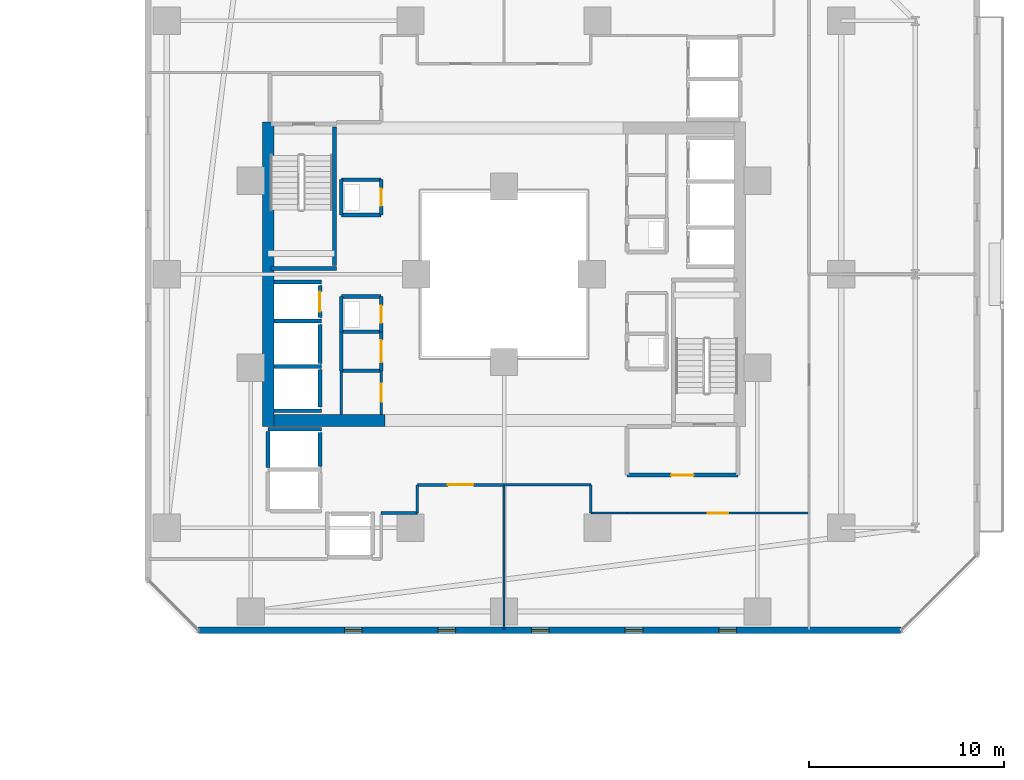
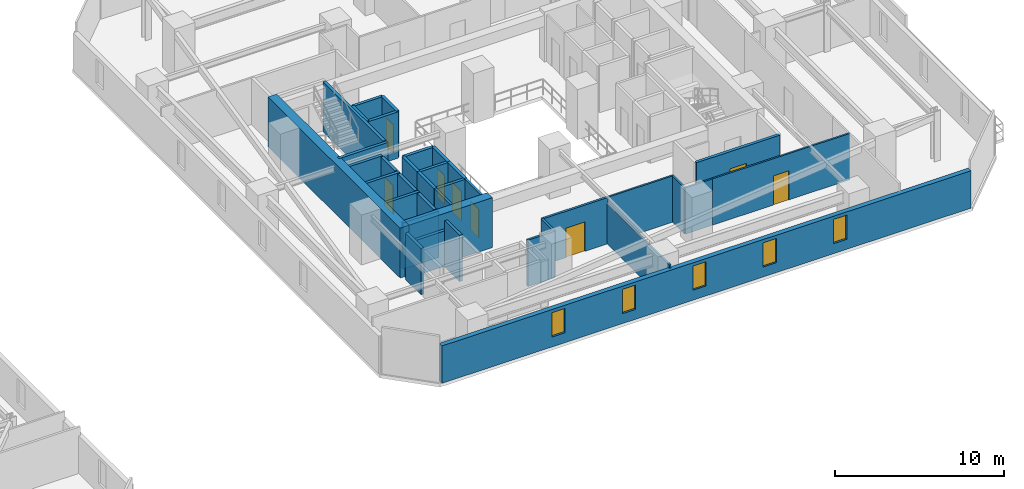
# One storey, part 24 of 34: 37 walls, 8 doors, 5 windows, 13 openings.
"""IFC4 building model written with IfcOpenShell, lengths in metres."""

from ifc_helpers import new_model, si_unit, direction, frame, frame_2d, origin, place, context, subcontext, project, spatial, rectangle, extrude, material, layer, layer_set, type_object, element, fill, save


model = new_model("IFC4")

# Units and contexts
model_context = context("Model", 3, precision=1e-05, world=origin(), true_north=direction((0.0, 1.0)))
body_context = subcontext(model_context, "Body", "Model", "MODEL_VIEW")
ifc_project = project(units=[si_unit("LENGTHUNIT", "METRE"), si_unit("AREAUNIT", "SQUARE_METRE"), si_unit("VOLUMEUNIT", "CUBIC_METRE"), si_unit("PLANEANGLEUNIT", "RADIAN"), si_unit("MASSUNIT", "GRAM", prefix="KILO")], contexts=[model_context])

# Site, building, storey
site_placement = place(None, origin())
site = spatial("IfcSite", under=ifc_project, at=site_placement, CompositionType="ELEMENT")
building_placement = place(site_placement, origin())
building = spatial("IfcBuilding", under=site, at=building_placement, Name="Thornwick Lancets Civic Towers", CompositionType="ELEMENT")
storey_placement = place(building_placement, frame((0.0, 0.0, 53.699951171875)))
storey = spatial("IfcBuildingStorey", under=building, at=storey_placement, Name="L13", CompositionType="ELEMENT", Elevation=53.699951171875)

# Wall, opening, door
ifc_material_1 = material(Name="Concrete blockwork C40/50", Category="masonry")
ifc_layer_1 = layer(ifc_material_1, 0.199951171875, Name="Concrete blockwork C40/50")
ifc_layer_set_1 = layer_set([ifc_layer_1], Name="Concrete blockwork C40/50")
wall_type_1 = type_object("IfcWallType", Name="WALL_COMP_200", PredefinedType="STANDARD", material=ifc_layer_set_1)
wall_1_placement = place(storey_placement, frame((79.050048828125, 24.780029296875, 0.0), z_axis=(0.0, 0.0, 1.0), x_axis=(0.0, 1.0, 0.0)))
wall_1 = element("IfcWall", 1, at=wall_1_placement, inside=storey, type_object=wall_type_1, Name="L13 Hoistway Front Wall FL-B2", PredefinedType="STANDARD", context=body_context, shape_type="SweptSolid", body=[
    extrude(rectangle(XDim=1.639892578125, YDim=0.199951171875, at=frame_2d((0.81982421875, 0.0))), origin(), (0.0, 0.0, 1.0), 3.340087890625),
])
opening_1_placement = place(wall_1_placement, frame((0.31005859375, 0.0, 0.0)))
opening_1 = element("IfcOpeningElement", 2, at=opening_1_placement, cuts=wall_1, Name="Opening LD-FL-B2", PredefinedType="OPENING", context=body_context, shape_type="SweptSolid", body=[
    extrude(rectangle(XDim=1.02001953125, YDim=2.06005859375, at=frame_2d((0.510009765625, 1.030029296875))), frame((0.0, 0.10986328125, 0.0), z_axis=(0.0, -1.0, 0.0), x_axis=(1.0, 0.0, 0.0)), (0.0, 0.0, 1.0), 0.219970703125),
])
ifc_material_2 = material(Name="Brushed bronze stainless steel", Category="steel")
door_type_1 = type_object("IfcDoorType", Name="DOOR_LIFT_SLIDE", OperationType="SLIDING_TO_LEFT", PredefinedType="DOOR", material=ifc_material_2)
door_1_placement = place(opening_1_placement, origin())
door_1 = element("IfcDoor", 3, at=door_1_placement, inside=storey, type_object=door_type_1, Name="L13 Sliding Lift Landing Door LD-FL-B2", OperationType="SLIDING_TO_LEFT", OverallHeight=2.06005859375, OverallWidth=1.02001953125, PredefinedType="DOOR", context=body_context, shape_type="SweptSolid", body=[
    extrude(rectangle(XDim=1.02001953125, YDim=2.06005859375, at=frame_2d((0.510009765625, 1.030029296875))), frame((0.0, 0.02490234375, 0.0), z_axis=(0.0, -1.0, 0.0), x_axis=(1.0, 0.0, 0.0)), (0.0, 0.0, 1.0), 0.050048828125),
])
fill(opening_1, door_1)

# Walls
wall_2_placement = place(storey_placement, frame((79.050048828125, 22.429931640625, 0.0), z_axis=(0.0, 0.0, 1.0), x_axis=(0.0, 1.0, 0.0)))
element("IfcWall", 4, at=wall_2_placement, inside=storey, type_object=wall_type_1, Name="L13 Hoistway Front Wall PL-BH2", PredefinedType="STANDARD", context=body_context, shape_type="SweptSolid", body=[
    extrude(rectangle(XDim=1.989990234375, YDim=0.199951171875, at=frame_2d((0.9951171875, 0.0))), origin(), (0.0, 0.0, 1.0), 3.340087890625),
])
wall_3_placement = place(storey_placement, frame((79.050048828125, 20.179931640625, 0.0), z_axis=(0.0, 0.0, 1.0), x_axis=(0.0, 1.0, 0.0)))
element("IfcWall", 5, at=wall_3_placement, inside=storey, type_object=wall_type_1, Name="L13 Hoistway Front Wall PL-BH3", PredefinedType="STANDARD", context=body_context, shape_type="SweptSolid", body=[
    extrude(rectangle(XDim=1.940185546875, YDim=0.199951171875, at=frame_2d((0.97021484375, 0.0))), origin(), (0.0, 0.0, 1.0), 3.340087890625),
])
wall_4_placement = place(storey_placement, frame((79.050048828125, 17.1298828125, 0.0), z_axis=(0.0, 0.0, 1.0), x_axis=(0.0, 1.0, 0.0)))
element("IfcWall", 6, at=wall_4_placement, inside=storey, type_object=wall_type_1, Name="L13 Hoistway Front Wall PL-BM1", PredefinedType="STANDARD", context=body_context, shape_type="SweptSolid", body=[
    extrude(rectangle(XDim=1.740234375, YDim=0.199951171875, at=frame_2d((0.8701171875, 0.0))), origin(), (0.0, 0.0, 1.0), 3.340087890625),
])
for number, where, z_axis, x_axis, name in (
    (7, (76.7119140625, 26.60009765625, 0.0), (0.0, 0.0, 1.0), (1.0, 0.0, 0.0), "L13 Hoistway Shaft Wall FL-B2 N"),
    (8, (76.7119140625, 24.60009765625, 0.0), (0.0, 0.0, 1.0), (1.0, 0.0, 0.0), "L13 Hoistway Shaft Wall FL-B2 S"),
    (9, (76.7119140625, 22.27490234375, 0.0), (0.0, 0.0, 1.0), (1.0, 0.0, 0.0), "L13 Hoistway Shaft Wall PL-BH2 S"),
    (10, (76.7119140625, 20.0, 0.0), (0.0, 0.0, 1.0), (1.0, 0.0, 0.0), "L13 Hoistway Shaft Wall PL-BH3 S"),
):
    element("IfcWall", number, at=place(storey_placement, frame(where, z_axis=z_axis, x_axis=x_axis)), inside=storey, type_object=wall_type_1, Name=name, PredefinedType="STANDARD", context=body_context, shape_type="SweptSolid", body=[
        extrude(rectangle(XDim=2.43603515625, YDim=0.199951171875, at=frame_2d((1.218017578125, 0.0))), origin(), (0.0, 0.0, 1.0), 3.340087890625),
    ])
wall_5_placement = place(storey_placement, frame((76.402099609375, 19.050048828125, 0.0), z_axis=(0.0, 0.0, 1.0), x_axis=(1.0, 0.0, 0.0)))
element("IfcWall", 11, at=wall_5_placement, inside=storey, type_object=wall_type_1, Name="L13 Hoistway Shaft Wall PL-BM1 N", PredefinedType="STANDARD", context=body_context, shape_type="SweptSolid", body=[
    extrude(rectangle(XDim=2.745849609375, YDim=0.199951171875, at=frame_2d((1.373046875, 0.0))), origin(), (0.0, 0.0, 1.0), 2.545166015625),
])
wall_6_placement = place(storey_placement, frame((76.39990234375, 17.08203125, 0.0), z_axis=(0.0, 0.0, 1.0), x_axis=(0.0, 1.0, 0.0)))
element("IfcWall", 12, at=wall_6_placement, inside=storey, type_object=wall_type_1, Name="L13 Hoistway Shaft Wall PL-BM1 W", PredefinedType="STANDARD", context=body_context, shape_type="SweptSolid", body=[
    extrude(rectangle(XDim=1.85595703125, YDim=0.199951171875, at=frame_2d((0.927978515625, 0.0))), origin(), (0.0, 0.0, 1.0), 3.340087890625),
])

# Wall, opening, door
wall_7_placement = place(storey_placement, frame((94.800048828125, 16.699951171875, 0.0), z_axis=(0.0, 0.0, 1.0), x_axis=(1.0, 0.0, 0.0)))
wall_7 = element("IfcWall", 13, at=wall_7_placement, inside=storey, type_object=wall_type_1, Name="L13 Partition L13-B-FFLOB1 E1", PredefinedType="STANDARD", context=body_context, shape_type="SweptSolid", body=[
    extrude(rectangle(XDim=5.699951171875, YDim=0.199951171875, at=frame_2d((2.85009765625, 0.0))), origin(), (0.0, 0.0, 1.0), 3.340087890625),
])
opening_2_placement = place(wall_7_placement, frame((2.27490234375, 0.0, 0.0)))
opening_2 = element("IfcOpeningElement", 14, at=opening_2_placement, cuts=wall_7, Name="Opening D-L13-0636", PredefinedType="OPENING", context=body_context, shape_type="SweptSolid", body=[
    extrude(rectangle(XDim=1.14990234375, YDim=2.10009765625, at=frame_2d((0.574951171875, 1.050048828125))), frame((0.0, 0.10986328125, 0.0), z_axis=(0.0, -1.0, 0.0), x_axis=(1.0, 0.0, 0.0)), (0.0, 0.0, 1.0), 0.219970703125),
])
ifc_material_3 = material(Name="Glazed fire-resisting steel", Category="steel")
door_type_2 = type_object("IfcDoorType", Name="DOOR_LOBBY_FD60", OperationType="NOTDEFINED", PredefinedType="DOOR", material=ifc_material_3)
door_2_placement = place(opening_2_placement, origin())
door_2 = element("IfcDoor", 15, at=door_2_placement, inside=storey, type_object=door_type_2, Name="L13 East Firefighting Lobby 1 Door", OperationType="SINGLE_SWING_LEFT", OverallHeight=2.10009765625, OverallWidth=1.14990234375, PredefinedType="DOOR", context=body_context, shape_type="SweptSolid", body=[
    extrude(rectangle(XDim=1.14990234375, YDim=2.10009765625, at=frame_2d((0.574951171875, 1.050048828125))), frame((0.0, 0.02490234375, 0.0), z_axis=(0.0, -1.0, 0.0), x_axis=(1.0, 0.0, 0.0)), (0.0, 0.0, 1.0), 0.050048828125),
])
fill(opening_2, door_2)

# Wall
wall_8_placement = place(storey_placement, frame((80.14990234375, 24.050048828125, 0.0), z_axis=(0.0, 0.0, 1.0), x_axis=(1.0, 0.0, 0.0)))
element("IfcWall", 16, at=wall_8_placement, inside=storey, type_object=wall_type_1, Name="L13 Partition L13-B-DUCT2 E1", PredefinedType="STANDARD", context=body_context, shape_type="SweptSolid", body=[
    extrude(rectangle(XDim=2.050048828125, YDim=0.199951171875, at=frame_2d((1.02490234375, 0.0))), origin(), (0.0, 0.0, 1.0), 3.340087890625),
])

# Wall, opening, door
wall_9_placement = place(storey_placement, frame((82.199951171875, 24.050048828125, 0.0), z_axis=(0.0, 0.0, 1.0), x_axis=(0.0, 1.0, 0.0)))
wall_9 = element("IfcWall", 17, at=wall_9_placement, inside=storey, type_object=wall_type_1, Name="L13 Partition L13-B-DUCT2 E2", PredefinedType="STANDARD", context=body_context, shape_type="SweptSolid", body=[
    extrude(rectangle(XDim=1.800048828125, YDim=0.199951171875, at=frame_2d((0.89990234375, 0.0))), origin(), (0.0, 0.0, 1.0), 3.340087890625),
])
opening_3_placement = place(wall_9_placement, frame((0.4599609375, 0.0, 0.0)))
opening_3 = element("IfcOpeningElement", 18, at=opening_3_placement, cuts=wall_9, Name="Opening D-L13-0640", PredefinedType="OPENING", context=body_context, shape_type="SweptSolid", body=[
    extrude(rectangle(XDim=0.8798828125, YDim=2.0400390625, at=frame_2d((0.43994140625, 1.02001953125))), frame((0.0, 0.10986328125, 0.0), z_axis=(0.0, -1.0, 0.0), x_axis=(1.0, 0.0, 0.0)), (0.0, 0.0, 1.0), 0.219970703125),
])
ifc_material_4 = material(Name="Steel riser access doorset", Category="steel")
door_type_3 = type_object("IfcDoorType", Name="DOOR_RISER_850", OperationType="NOTDEFINED", PredefinedType="DOOR", material=ifc_material_4)
door_3_placement = place(opening_3_placement, origin())
door_3 = element("IfcDoor", 19, at=door_3_placement, inside=storey, type_object=door_type_3, Name="L13 West Service Duct 2 Door", OperationType="SINGLE_SWING_LEFT", OverallHeight=2.0400390625, OverallWidth=0.8798828125, PredefinedType="DOOR", context=body_context, shape_type="SweptSolid", body=[
    extrude(rectangle(XDim=0.8798828125, YDim=2.0400390625, at=frame_2d((0.43994140625, 1.02001953125))), frame((0.0, 0.02490234375, 0.0), z_axis=(0.0, -1.0, 0.0), x_axis=(1.0, 0.0, 0.0)), (0.0, 0.0, 1.0), 0.050048828125),
])
fill(opening_3, door_3)

# Walls
wall_10_placement = place(storey_placement, frame((82.199951171875, 25.85009765625, 0.0), z_axis=(0.0, 0.0, 1.0), x_axis=(-1.0, 0.0, 0.0)))
element("IfcWall", 20, at=wall_10_placement, inside=storey, type_object=wall_type_1, Name="L13 Partition L13-B-DUCT2 E3", PredefinedType="STANDARD", context=body_context, shape_type="SweptSolid", body=[
    extrude(rectangle(XDim=2.050048828125, YDim=0.199951171875, at=frame_2d((1.02490234375, 0.0))), origin(), (0.0, 0.0, 1.0), 3.340087890625),
])
wall_11_placement = place(storey_placement, frame((80.14990234375, 25.85009765625, 0.0), z_axis=(0.0, 0.0, 1.0), x_axis=(0.0, -1.0, 0.0)))
element("IfcWall", 21, at=wall_11_placement, inside=storey, type_object=wall_type_1, Name="L13 Partition L13-B-DUCT2 E4", PredefinedType="STANDARD", context=body_context, shape_type="SweptSolid", body=[
    extrude(rectangle(XDim=1.800048828125, YDim=0.199951171875, at=frame_2d((0.89990234375, 0.0))), origin(), (0.0, 0.0, 1.0), 3.340087890625),
])
wall_12_placement = place(storey_placement, frame((80.14990234375, 30.050048828125, 0.0), z_axis=(0.0, 0.0, 1.0), x_axis=(1.0, 0.0, 0.0)))
element("IfcWall", 22, at=wall_12_placement, inside=storey, type_object=wall_type_1, Name="L13 Partition L13-B-RISER2 E1", PredefinedType="STANDARD", context=body_context, shape_type="SweptSolid", body=[
    extrude(rectangle(XDim=2.050048828125, YDim=0.199951171875, at=frame_2d((1.02490234375, 0.0))), origin(), (0.0, 0.0, 1.0), 3.340087890625),
])

# Wall, opening, door
wall_13_placement = place(storey_placement, frame((82.199951171875, 30.050048828125, 0.0), z_axis=(0.0, 0.0, 1.0), x_axis=(0.0, 1.0, 0.0)))
wall_13 = element("IfcWall", 23, at=wall_13_placement, inside=storey, type_object=wall_type_1, Name="L13 Partition L13-B-RISER2 E2", PredefinedType="STANDARD", context=body_context, shape_type="SweptSolid", body=[
    extrude(rectangle(XDim=1.800048828125, YDim=0.199951171875, at=frame_2d((0.89990234375, 0.0))), origin(), (0.0, 0.0, 1.0), 3.340087890625),
])
opening_4_placement = place(wall_13_placement, frame((0.4599609375, 0.0, 0.0)))
opening_4 = element("IfcOpeningElement", 24, at=opening_4_placement, cuts=wall_13, Name="Opening D-L13-0641", PredefinedType="OPENING", context=body_context, shape_type="SweptSolid", body=[
    extrude(rectangle(XDim=0.8798828125, YDim=2.0400390625, at=frame_2d((0.43994140625, 1.02001953125))), frame((0.0, 0.10986328125, 0.0), z_axis=(0.0, -1.0, 0.0), x_axis=(1.0, 0.0, 0.0)), (0.0, 0.0, 1.0), 0.219970703125),
])
door_4_placement = place(opening_4_placement, origin())
door_4 = element("IfcDoor", 25, at=door_4_placement, inside=storey, type_object=door_type_3, Name="L13 West Service Riser 2 Door", OperationType="SINGLE_SWING_RIGHT", OverallHeight=2.0400390625, OverallWidth=0.8798828125, PredefinedType="DOOR", context=body_context, shape_type="SweptSolid", body=[
    extrude(rectangle(XDim=0.8798828125, YDim=2.0400390625, at=frame_2d((0.43994140625, 1.02001953125))), frame((0.0, 0.02490234375, 0.0), z_axis=(0.0, -1.0, 0.0), x_axis=(1.0, 0.0, 0.0)), (0.0, 0.0, 1.0), 0.050048828125),
])
fill(opening_4, door_4)

# Walls
wall_14_placement = place(storey_placement, frame((82.199951171875, 31.85009765625, 0.0), z_axis=(0.0, 0.0, 1.0), x_axis=(-1.0, 0.0, 0.0)))
element("IfcWall", 26, at=wall_14_placement, inside=storey, type_object=wall_type_1, Name="L13 Partition L13-B-RISER2 E3", PredefinedType="STANDARD", context=body_context, shape_type="SweptSolid", body=[
    extrude(rectangle(XDim=2.050048828125, YDim=0.199951171875, at=frame_2d((1.02490234375, 0.0))), origin(), (0.0, 0.0, 1.0), 3.340087890625),
])
wall_15_placement = place(storey_placement, frame((80.14990234375, 31.85009765625, 0.0), z_axis=(0.0, 0.0, 1.0), x_axis=(0.0, -1.0, 0.0)))
element("IfcWall", 27, at=wall_15_placement, inside=storey, type_object=wall_type_1, Name="L13 Partition L13-B-RISER2 E4", PredefinedType="STANDARD", context=body_context, shape_type="SweptSolid", body=[
    extrude(rectangle(XDim=1.800048828125, YDim=0.199951171875, at=frame_2d((0.89990234375, 0.0))), origin(), (0.0, 0.0, 1.0), 3.340087890625),
])
wall_16_placement = place(storey_placement, frame((80.14990234375, 22.050048828125, 0.0), z_axis=(0.0, 0.0, 1.0), x_axis=(0.0, 1.0, 0.0)))
element("IfcWall", 28, at=wall_16_placement, inside=storey, type_object=wall_type_1, Name="L13 Partition L13-B-STR E1", PredefinedType="STANDARD", context=body_context, shape_type="SweptSolid", body=[
    extrude(rectangle(XDim=2.0, YDim=0.199951171875, at=frame_2d((1.0, 0.0))), origin(), (0.0, 0.0, 1.0), 3.340087890625),
])

# Wall, opening, door
wall_17_placement = place(storey_placement, frame((82.199951171875, 24.050048828125, 0.0), z_axis=(0.0, 0.0, 1.0), x_axis=(0.0, -1.0, 0.0)))
wall_17 = element("IfcWall", 29, at=wall_17_placement, inside=storey, type_object=wall_type_1, Name="L13 Partition L13-B-STR E3", PredefinedType="STANDARD", context=body_context, shape_type="SweptSolid", body=[
    extrude(rectangle(XDim=2.0, YDim=0.199951171875, at=frame_2d((1.0, 0.0))), origin(), (0.0, 0.0, 1.0), 3.340087890625),
])
opening_5_placement = place(wall_17_placement, frame((0.425048828125, 0.0, 0.0)))
opening_5 = element("IfcOpeningElement", 30, at=opening_5_placement, cuts=wall_17, Name="Opening D-L13-0646", PredefinedType="OPENING", context=body_context, shape_type="SweptSolid", body=[
    extrude(rectangle(XDim=1.14990234375, YDim=2.10009765625, at=frame_2d((0.574951171875, 1.050048828125))), frame((0.0, 0.10986328125, 0.0), z_axis=(0.0, -1.0, 0.0), x_axis=(1.0, 0.0, 0.0)), (0.0, 0.0, 1.0), 0.219970703125),
])
door_5_placement = place(opening_5_placement, origin())
door_5 = element("IfcDoor", 31, at=door_5_placement, inside=storey, type_object=door_type_2, Name="L13 Tower B Core Records Store Door", OperationType="SINGLE_SWING_LEFT", OverallHeight=2.10009765625, OverallWidth=1.14990234375, PredefinedType="DOOR", context=body_context, shape_type="SweptSolid", body=[
    extrude(rectangle(XDim=1.14990234375, YDim=2.10009765625, at=frame_2d((0.574951171875, 1.050048828125))), frame((0.0, 0.02490234375, 0.0), z_axis=(0.0, -1.0, 0.0), x_axis=(1.0, 0.0, 0.0)), (0.0, 0.0, 1.0), 0.050048828125),
])
fill(opening_5, door_5)

# Walls
wall_18_placement = place(storey_placement, frame((82.199951171875, 22.050048828125, 0.0), z_axis=(0.0, 0.0, 1.0), x_axis=(-1.0, 0.0, 0.0)))
element("IfcWall", 32, at=wall_18_placement, inside=storey, type_object=wall_type_1, Name="L13 Partition L13-B-STR E4", PredefinedType="STANDARD", context=body_context, shape_type="SweptSolid", body=[
    extrude(rectangle(XDim=2.050048828125, YDim=0.199951171875, at=frame_2d((1.02490234375, 0.0))), origin(), (0.0, 0.0, 1.0), 3.340087890625),
])
ifc_material_5 = material(Name="Concrete C60/75", Category="concrete")
ifc_layer_2 = layer(ifc_material_5, 0.60009765625, Name="Concrete C60/75")
ifc_layer_set_2 = layer_set([ifc_layer_2], Name="Concrete C60/75")
wall_type_2 = type_object("IfcWallType", Name="WALL_CORE_600", PredefinedType="SHEAR", material=ifc_layer_set_2)
wall_19_placement = place(storey_placement, frame((76.39990234375, 19.199951171875, 0.0), z_axis=(0.0, 0.0, 1.0), x_axis=(0.0, 1.0, 0.0)))
element("IfcWall", 33, at=wall_19_placement, inside=storey, type_object=wall_type_2, Name="L13 Split Core B2 Shear Wall W", PredefinedType="SHEAR", context=body_context, shape_type="SweptSolid", body=[
    extrude(rectangle(XDim=15.60009765625, YDim=0.60009765625, at=frame_2d((7.800048828125, 0.0))), origin(), (0.0, 0.0, 1.0), 3.60009765625),
])
wall_20_placement = place(storey_placement, frame((76.699951171875, 19.5, 0.0), z_axis=(0.0, 0.0, 1.0), x_axis=(1.0, 0.0, 0.0)))
element("IfcWall", 34, at=wall_20_placement, inside=storey, type_object=wall_type_2, Name="L13 Split Core B2 Shear Wall S", PredefinedType="SHEAR", context=body_context, shape_type="SweptSolid", body=[
    extrude(rectangle(XDim=5.699951171875, YDim=0.60009765625, at=frame_2d((2.85009765625, 0.0))), origin(), (0.0, 0.0, 1.0), 3.60009765625),
])

# Wall, openings, windows
ifc_material_6 = material(Name="Insulated buff terracotta rainscreen on concrete C40/50", Category="masonry")
ifc_layer_3 = layer(ifc_material_6, 0.320068359375, Name="Insulated buff terracotta rainscreen on concrete C40/50")
ifc_layer_set_3 = layer_set([ifc_layer_3], Name="Insulated buff terracotta rainscreen on concrete C40/50")
wall_type_3 = type_object("IfcWallType", Name="WALL_EXT_TERRA_320", PredefinedType="STANDARD", material=ifc_layer_set_3)
wall_21_placement = place(storey_placement, frame((72.81884765625, 8.735107421875, 0.0), z_axis=(0.0, 0.0, 1.0), x_axis=(0.999999992574, 0.000121872777, 0.0)))
wall_21 = element("IfcWall", 35, at=wall_21_placement, inside=storey, type_object=wall_type_3, Name="L13 Tower B Terracotta Facade Wall E0", PredefinedType="STANDARD", context=body_context, shape_type="SweptSolid", body=[
    extrude(rectangle(XDim=36.058349609375, YDim=0.320068359375, at=frame_2d((18.029296875, 0.0))), origin(), (0.0, 0.0, 1.0), 2.699951171875),
])
opening_6_placement = place(wall_21_placement, frame((7.5, 0.0, 0.719970703125)))
opening_6 = element("IfcOpeningElement", 36, at=opening_6_placement, cuts=wall_21, Name="Opening WL-01", PredefinedType="OPENING", context=body_context, shape_type="SweptSolid", body=[
    extrude(rectangle(XDim=0.89990234375, YDim=1.75, at=frame_2d((0.449951171875, 0.875))), frame((0.0, 0.169921875, 0.0), z_axis=(0.0, -1.0, 0.0), x_axis=(1.0, 0.0, 0.0)), (0.0, 0.0, 1.0), 0.340087890625),
])
opening_7_placement = place(wall_21_placement, frame((12.300048828125, 0.0, 0.719970703125)))
opening_7 = element("IfcOpeningElement", 37, at=opening_7_placement, cuts=wall_21, Name="Opening WL-01", PredefinedType="OPENING", context=body_context, shape_type="SweptSolid", body=[
    extrude(rectangle(XDim=0.89990234375, YDim=1.75, at=frame_2d((0.449951171875, 0.875))), frame((0.0, 0.169921875, 0.0), z_axis=(0.0, -1.0, 0.0), x_axis=(1.0, 0.0, 0.0)), (0.0, 0.0, 1.0), 0.340087890625),
])
opening_8_placement = place(wall_21_placement, frame((17.10009765625, 0.0, 0.719970703125)))
opening_8 = element("IfcOpeningElement", 38, at=opening_8_placement, cuts=wall_21, Name="Opening WL-01", PredefinedType="OPENING", context=body_context, shape_type="SweptSolid", body=[
    extrude(rectangle(XDim=0.89990234375, YDim=1.75, at=frame_2d((0.449951171875, 0.875))), frame((0.0, 0.169921875, 0.0), z_axis=(0.0, -1.0, 0.0), x_axis=(1.0, 0.0, 0.0)), (0.0, 0.0, 1.0), 0.340087890625),
])
opening_9_placement = place(wall_21_placement, frame((21.89990234375, 0.0, 0.719970703125)))
opening_9 = element("IfcOpeningElement", 39, at=opening_9_placement, cuts=wall_21, Name="Opening WL-01", PredefinedType="OPENING", context=body_context, shape_type="SweptSolid", body=[
    extrude(rectangle(XDim=0.89990234375, YDim=1.75, at=frame_2d((0.449951171875, 0.875))), frame((0.0, 0.169921875, 0.0), z_axis=(0.0, -1.0, 0.0), x_axis=(1.0, 0.0, 0.0)), (0.0, 0.0, 1.0), 0.340087890625),
])
opening_10_placement = place(wall_21_placement, frame((26.699951171875, 0.0, 0.719970703125)))
opening_10 = element("IfcOpeningElement", 40, at=opening_10_placement, cuts=wall_21, Name="Opening WL-01", PredefinedType="OPENING", context=body_context, shape_type="SweptSolid", body=[
    extrude(rectangle(XDim=0.89990234375, YDim=1.75, at=frame_2d((0.449951171875, 0.875))), frame((0.0, 0.169921875, 0.0), z_axis=(0.0, -1.0, 0.0), x_axis=(1.0, 0.0, 0.0)), (0.0, 0.0, 1.0), 0.340087890625),
])
ifc_material_7 = material(Name="Clear low-e double glazing in bronze frame", Category="glass")
window_type = type_object("IfcWindowType", Name="WIN_LANCET_900", PartitioningType="SINGLE_PANEL", PredefinedType="WINDOW", material=ifc_material_7)
window_1_placement = place(opening_6_placement, origin())
window_1 = element("IfcWindow", 41, at=window_1_placement, inside=storey, type_object=window_type, Name="L13 Tower B Staggered Lancet Window E0-1", OverallHeight=1.75, OverallWidth=0.89990234375, PartitioningType="SINGLE_PANEL", PredefinedType="WINDOW", context=body_context, shape_type="SweptSolid", body=[
    extrude(rectangle(XDim=0.89990234375, YDim=1.75, at=frame_2d((0.449951171875, 0.875))), frame((0.0, 0.030029296875, 0.0), z_axis=(0.0, -1.0, 0.0), x_axis=(1.0, 0.0, 0.0)), (0.0, 0.0, 1.0), 0.06005859375),
])
fill(opening_6, window_1)
window_2_placement = place(opening_7_placement, origin())
window_2 = element("IfcWindow", 42, at=window_2_placement, inside=storey, type_object=window_type, Name="L13 Tower B Staggered Lancet Window E0-2", OverallHeight=1.75, OverallWidth=0.89990234375, PartitioningType="SINGLE_PANEL", PredefinedType="WINDOW", context=body_context, shape_type="SweptSolid", body=[
    extrude(rectangle(XDim=0.89990234375, YDim=1.75, at=frame_2d((0.449951171875, 0.875))), frame((0.0, 0.030029296875, 0.0), z_axis=(0.0, -1.0, 0.0), x_axis=(1.0, 0.0, 0.0)), (0.0, 0.0, 1.0), 0.06005859375),
])
fill(opening_7, window_2)
window_3_placement = place(opening_8_placement, origin())
window_3 = element("IfcWindow", 43, at=window_3_placement, inside=storey, type_object=window_type, Name="L13 Tower B Staggered Lancet Window E0-3", OverallHeight=1.75, OverallWidth=0.89990234375, PartitioningType="SINGLE_PANEL", PredefinedType="WINDOW", context=body_context, shape_type="SweptSolid", body=[
    extrude(rectangle(XDim=0.89990234375, YDim=1.75, at=frame_2d((0.449951171875, 0.875))), frame((0.0, 0.030029296875, 0.0), z_axis=(0.0, -1.0, 0.0), x_axis=(1.0, 0.0, 0.0)), (0.0, 0.0, 1.0), 0.06005859375),
])
fill(opening_8, window_3)
window_4_placement = place(opening_9_placement, origin())
window_4 = element("IfcWindow", 44, at=window_4_placement, inside=storey, type_object=window_type, Name="L13 Tower B Staggered Lancet Window E0-4", OverallHeight=1.75, OverallWidth=0.89990234375, PartitioningType="SINGLE_PANEL", PredefinedType="WINDOW", context=body_context, shape_type="SweptSolid", body=[
    extrude(rectangle(XDim=0.89990234375, YDim=1.75, at=frame_2d((0.449951171875, 0.875))), frame((0.0, 0.030029296875, 0.0), z_axis=(0.0, -1.0, 0.0), x_axis=(1.0, 0.0, 0.0)), (0.0, 0.0, 1.0), 0.06005859375),
])
fill(opening_9, window_4)
window_5_placement = place(opening_10_placement, origin())
window_5 = element("IfcWindow", 45, at=window_5_placement, inside=storey, type_object=window_type, Name="L13 Tower B Staggered Lancet Window E0-5", OverallHeight=1.75, OverallWidth=0.89990234375, PartitioningType="SINGLE_PANEL", PredefinedType="WINDOW", context=body_context, shape_type="SweptSolid", body=[
    extrude(rectangle(XDim=0.89990234375, YDim=1.75, at=frame_2d((0.449951171875, 0.875))), frame((0.0, 0.030029296875, 0.0), z_axis=(0.0, -1.0, 0.0), x_axis=(1.0, 0.0, 0.0)), (0.0, 0.0, 1.0), 0.06005859375),
])
fill(opening_10, window_5)

# Walls
ifc_material_8 = material(Name="Acoustic gypsum board partition")
ifc_layer_4 = layer(ifc_material_8, 0.1201171875, Name="Acoustic gypsum board partition")
ifc_layer_set_4 = layer_set([ifc_layer_4], Name="Acoustic gypsum board partition")
wall_type_4 = type_object("IfcWallType", Name="WALL_PART_120", PredefinedType="PARTITIONING", material=ifc_layer_set_4)
wall_22_placement = place(storey_placement, frame((92.949951171875, 16.199951171875, 0.0), z_axis=(0.0, 0.0, 1.0), x_axis=(0.0, -1.0, 0.0)))
element("IfcWall", 46, at=wall_22_placement, inside=storey, type_object=wall_type_4, Name="L13 Partition L13-B-W1 E1", PredefinedType="PARTITIONING", context=body_context, shape_type="SweptSolid", body=[
    extrude(rectangle(XDim=1.449951171875, YDim=0.1201171875, at=frame_2d((0.72509765625, 0.0))), origin(), (0.0, 0.0, 1.0), 3.340087890625),
])
wall_23_placement = place(storey_placement, frame((92.949951171875, 14.75, 0.0), z_axis=(0.0, 0.0, 1.0), x_axis=(1.0, 0.0, 0.0)))
element("IfcWall", 47, at=wall_23_placement, inside=storey, type_object=wall_type_4, Name="L13 Partition L13-B-W1 E2", PredefinedType="PARTITIONING", context=body_context, shape_type="SweptSolid", body=[
    extrude(rectangle(XDim=1.85009765625, YDim=0.1201171875, at=frame_2d((0.925048828125, 0.0))), origin(), (0.0, 0.0, 1.0), 3.340087890625),
])

# Wall, opening, door
wall_24_placement = place(storey_placement, frame((94.800048828125, 14.75, 0.0), z_axis=(0.0, 0.0, 1.0), x_axis=(1.0, 0.0, 0.0)))
wall_24 = element("IfcWall", 48, at=wall_24_placement, inside=storey, type_object=wall_type_4, Name="L13 Partition L13-B-W1 E3", PredefinedType="PARTITIONING", context=body_context, shape_type="SweptSolid", body=[
    extrude(rectangle(XDim=9.349853515625, YDim=0.1201171875, at=frame_2d((4.6748046875, 0.0))), origin(), (0.0, 0.0, 1.0), 3.340087890625),
])
opening_11_placement = place(wall_24_placement, frame((4.14990234375, 0.0, 0.0)))
opening_11 = element("IfcOpeningElement", 49, at=opening_11_placement, cuts=wall_24, Name="Opening D-L13-0653", PredefinedType="OPENING", context=body_context, shape_type="SweptSolid", body=[
    extrude(rectangle(XDim=1.050048828125, YDim=2.10009765625, at=frame_2d((0.52490234375, 1.050048828125))), frame((0.0, 0.070068359375, 0.0), z_axis=(0.0, -1.0, 0.0), x_axis=(1.0, 0.0, 0.0)), (0.0, 0.0, 1.0), 0.14013671875),
])
ifc_material_9 = material(Name="Glazed European oak executive doorset")
door_type_4 = type_object("IfcDoorType", Name="DOOR_OFFICE_1050", OperationType="NOTDEFINED", PredefinedType="DOOR", material=ifc_material_9)
door_6_placement = place(opening_11_placement, origin())
door_6 = element("IfcDoor", 50, at=door_6_placement, inside=storey, type_object=door_type_4, Name="L13 Tower B Ministry Directorate Office W1 Door", OperationType="SINGLE_SWING_RIGHT", OverallHeight=2.10009765625, OverallWidth=1.050048828125, PredefinedType="DOOR", context=body_context, shape_type="SweptSolid", body=[
    extrude(rectangle(XDim=1.050048828125, YDim=2.10009765625, at=frame_2d((0.52490234375, 1.050048828125))), frame((0.0, 0.02490234375, 0.0), z_axis=(0.0, -1.0, 0.0), x_axis=(1.0, 0.0, 0.0)), (0.0, 0.0, 1.0), 0.050048828125),
])
fill(opening_11, door_6)

# Walls
wall_25_placement = place(storey_placement, frame((88.5, 8.780029296875, 0.0), z_axis=(0.0, 0.0, 1.0), x_axis=(0.0, 1.0, 0.0)))
element("IfcWall", 51, at=wall_25_placement, inside=storey, type_object=wall_type_4, Name="L13 Partition L13-B-W1 E6", PredefinedType="PARTITIONING", context=body_context, shape_type="SweptSolid", body=[
    extrude(rectangle(XDim=7.419921875, YDim=0.1201171875, at=frame_2d((3.7099609375, 0.0))), origin(), (0.0, 0.0, 1.0), 2.93212890625),
])
wall_26_placement = place(storey_placement, frame((88.5, 16.199951171875, 0.0), z_axis=(0.0, 0.0, 1.0), x_axis=(1.0, 0.0, 0.0)))
element("IfcWall", 52, at=wall_26_placement, inside=storey, type_object=wall_type_4, Name="L13 Partition L13-B-W1 E7", PredefinedType="PARTITIONING", context=body_context, shape_type="SweptSolid", body=[
    extrude(rectangle(XDim=4.449951171875, YDim=0.1201171875, at=frame_2d((2.22509765625, 0.0))), origin(), (0.0, 0.0, 1.0), 3.340087890625),
])

# Wall, opening, door
ifc_material_10 = material(Name="Twin-stud acoustic gypsum board")
ifc_layer_5 = layer(ifc_material_10, 0.14990234375, Name="Twin-stud acoustic gypsum board")
ifc_layer_set_5 = layer_set([ifc_layer_5], Name="Twin-stud acoustic gypsum board")
wall_type_5 = type_object("IfcWallType", Name="WALL_PART_150", PredefinedType="PARTITIONING", material=ifc_layer_set_5)
wall_27_placement = place(storey_placement, frame((82.199951171875, 19.800048828125, 0.0), z_axis=(0.0, 0.0, 1.0), x_axis=(0.0, 1.0, 0.0)))
wall_27 = element("IfcWall", 53, at=wall_27_placement, inside=storey, type_object=wall_type_5, Name="L13 Partition L13-B-AWC E2", PredefinedType="PARTITIONING", context=body_context, shape_type="SweptSolid", body=[
    extrude(rectangle(XDim=2.25, YDim=0.14990234375, at=frame_2d((1.125, 0.0))), origin(), (0.0, 0.0, 1.0), 3.340087890625),
])
opening_12_placement = place(wall_27_placement, frame((0.6650390625, 0.0, 0.0)))
opening_12 = element("IfcOpeningElement", 54, at=opening_12_placement, cuts=wall_27, Name="Opening D-L13-0645", PredefinedType="OPENING", context=body_context, shape_type="SweptSolid", body=[
    extrude(rectangle(XDim=0.919921875, YDim=2.080078125, at=frame_2d((0.4599609375, 1.0400390625))), frame((0.0, 0.0849609375, 0.0), z_axis=(0.0, -1.0, 0.0), x_axis=(1.0, 0.0, 0.0)), (0.0, 0.0, 1.0), 0.169921875),
])
ifc_material_11 = material(Name="Moisture-resistant oak doorset")
door_type_5 = type_object("IfcDoorType", Name="DOOR_WC_900", OperationType="NOTDEFINED", PredefinedType="DOOR", material=ifc_material_11)
door_7_placement = place(opening_12_placement, origin())
door_7 = element("IfcDoor", 55, at=door_7_placement, inside=storey, type_object=door_type_5, Name="L13 Tower B Accessible WC Door", OperationType="SINGLE_SWING_RIGHT", OverallHeight=2.080078125, OverallWidth=0.919921875, PredefinedType="DOOR", context=body_context, shape_type="SweptSolid", body=[
    extrude(rectangle(XDim=0.919921875, YDim=2.080078125, at=frame_2d((0.4599609375, 1.0400390625))), frame((0.0, 0.02490234375, 0.0), z_axis=(0.0, -1.0, 0.0), x_axis=(1.0, 0.0, 0.0)), (0.0, 0.0, 1.0), 0.050048828125),
])
fill(opening_12, door_7)

# Walls
wall_28_placement = place(storey_placement, frame((80.14990234375, 22.050048828125, 0.0), z_axis=(0.0, 0.0, 1.0), x_axis=(0.0, -1.0, 0.0)))
element("IfcWall", 56, at=wall_28_placement, inside=storey, type_object=wall_type_5, Name="L13 Partition L13-B-AWC E4", PredefinedType="PARTITIONING", context=body_context, shape_type="SweptSolid", body=[
    extrude(rectangle(XDim=2.25, YDim=0.14990234375, at=frame_2d((1.125, 0.0))), origin(), (0.0, 0.0, 1.0), 3.340087890625),
])
wall_29_placement = place(storey_placement, frame((82.199951171875, 14.75, 0.0), z_axis=(0.0, 0.0, 1.0), x_axis=(1.0, 0.0, 0.0)))
element("IfcWall", 57, at=wall_29_placement, inside=storey, type_object=wall_type_5, Name="L13 Partition L13-B-W2 E2", PredefinedType="PARTITIONING", context=body_context, shape_type="SweptSolid", body=[
    extrude(rectangle(XDim=1.85009765625, YDim=0.14990234375, at=frame_2d((0.925048828125, 0.0))), origin(), (0.0, 0.0, 1.0), 3.340087890625),
])
wall_30_placement = place(storey_placement, frame((84.050048828125, 14.75, 0.0), z_axis=(0.0, 0.0, 1.0), x_axis=(0.0, 1.0, 0.0)))
element("IfcWall", 58, at=wall_30_placement, inside=storey, type_object=wall_type_5, Name="L13 Partition L13-B-W2 E3", PredefinedType="PARTITIONING", context=body_context, shape_type="SweptSolid", body=[
    extrude(rectangle(XDim=1.449951171875, YDim=0.14990234375, at=frame_2d((0.72509765625, 0.0))), origin(), (0.0, 0.0, 1.0), 3.340087890625),
])

# Wall, opening, door
wall_31_placement = place(storey_placement, frame((84.050048828125, 16.199951171875, 0.0), z_axis=(0.0, 0.0, 1.0), x_axis=(1.0, 0.0, 0.0)))
wall_31 = element("IfcWall", 59, at=wall_31_placement, inside=storey, type_object=wall_type_5, Name="L13 Partition L13-B-W2 E4", PredefinedType="PARTITIONING", context=body_context, shape_type="SweptSolid", body=[
    extrude(rectangle(XDim=4.449951171875, YDim=0.14990234375, at=frame_2d((2.22509765625, 0.0))), origin(), (0.0, 0.0, 1.0), 3.340087890625),
])
opening_13_placement = place(wall_31_placement, frame((1.574951171875, 0.0, 0.0)))
opening_13 = element("IfcOpeningElement", 60, at=opening_13_placement, cuts=wall_31, Name="Opening D-L13-0654", PredefinedType="OPENING", context=body_context, shape_type="SweptSolid", body=[
    extrude(rectangle(XDim=1.300048828125, YDim=2.1201171875, at=frame_2d((0.64990234375, 1.06005859375))), frame((0.0, 0.0849609375, 0.0), z_axis=(0.0, -1.0, 0.0), x_axis=(1.0, 0.0, 0.0)), (0.0, 0.0, 1.0), 0.169921875),
])
ifc_material_12 = material(Name="Acoustic oak leaf-and-a-half doorset")
door_type_6 = type_object("IfcDoorType", Name="DOOR_MEET_1300", OperationType="DOUBLE_DOOR_SINGLE_SWING", PredefinedType="DOOR", material=ifc_material_12)
door_8_placement = place(opening_13_placement, origin())
door_8 = element("IfcDoor", 61, at=door_8_placement, inside=storey, type_object=door_type_6, Name="L13 Tower B Policy Briefing Room W2 Door", OperationType="DOUBLE_DOOR_SINGLE_SWING", OverallHeight=2.1201171875, OverallWidth=1.300048828125, PredefinedType="DOOR", context=body_context, shape_type="SweptSolid", body=[
    extrude(rectangle(XDim=1.300048828125, YDim=2.1201171875, at=frame_2d((0.64990234375, 1.06005859375))), frame((0.0, 0.02490234375, 0.0), z_axis=(0.0, -1.0, 0.0), x_axis=(1.0, 0.0, 0.0)), (0.0, 0.0, 1.0), 0.050048828125),
])
fill(opening_13, door_8)

# Walls
ifc_material_13 = material(Name="Concrete C40/50", Category="concrete")
ifc_layer_6 = layer(ifc_material_13, 0.199951171875, Name="Concrete C40/50")
ifc_layer_set_6 = layer_set([ifc_layer_6], Name="Concrete C40/50")
wall_type_6 = type_object("IfcWallType", Name="WALL_SHAFT_200", PredefinedType="SHEAR", material=ifc_layer_set_6)
wall_32_placement = place(storey_placement, frame((79.89990234375, 27.300048828125, 0.0), z_axis=(0.0, 0.0, 1.0), x_axis=(-1.0, 0.0, 0.0)))
element("IfcWall", 62, at=wall_32_placement, inside=storey, type_object=wall_type_6, Name="L13 ST-B2 Fire Stair Core Wall FAR", PredefinedType="SHEAR", context=body_context, shape_type="SweptSolid", body=[
    extrude(rectangle(XDim=3.349853515625, YDim=0.199951171875, at=frame_2d((1.6748046875, 0.0))), origin(), (0.0, 0.0, 1.0), 3.60009765625),
])
wall_33_placement = place(storey_placement, frame((79.797119140625, 27.449951171875, 0.0), z_axis=(0.0, 0.0, 1.0), x_axis=(0.0, 1.0, 0.0)))
element("IfcWall", 63, at=wall_33_placement, inside=storey, type_object=wall_type_6, Name="L13 ST-B2 Fire Stair Core Wall RIGHT", PredefinedType="SHEAR", context=body_context, shape_type="SweptSolid", body=[
    extrude(rectangle(XDim=7.10009765625, YDim=0.199951171875, at=frame_2d((3.550048828125, 0.0))), origin(), (0.0, 0.0, 1.0), 3.60009765625),
])

save(model, "model.ifc")
